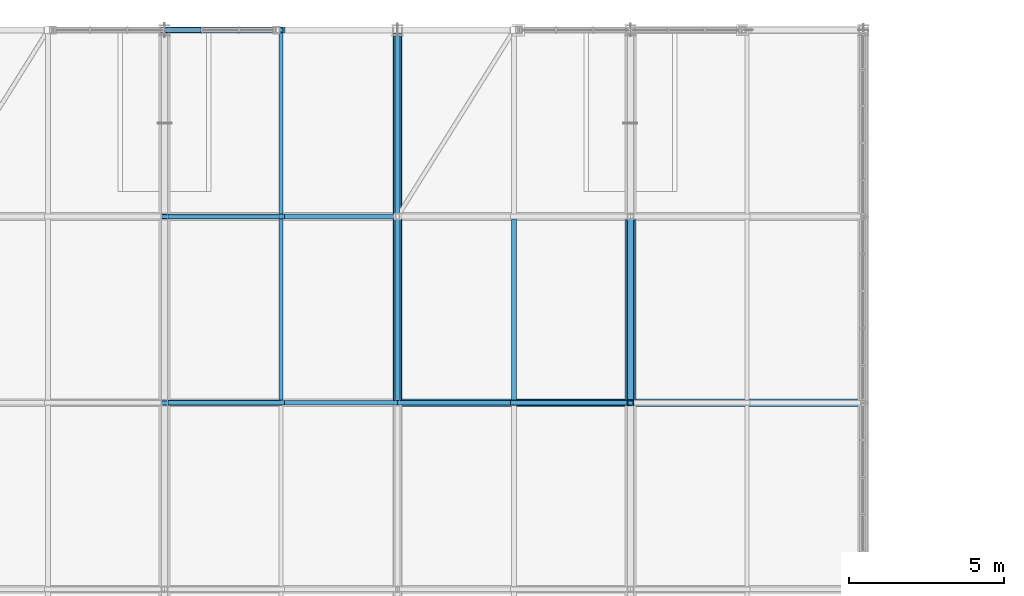
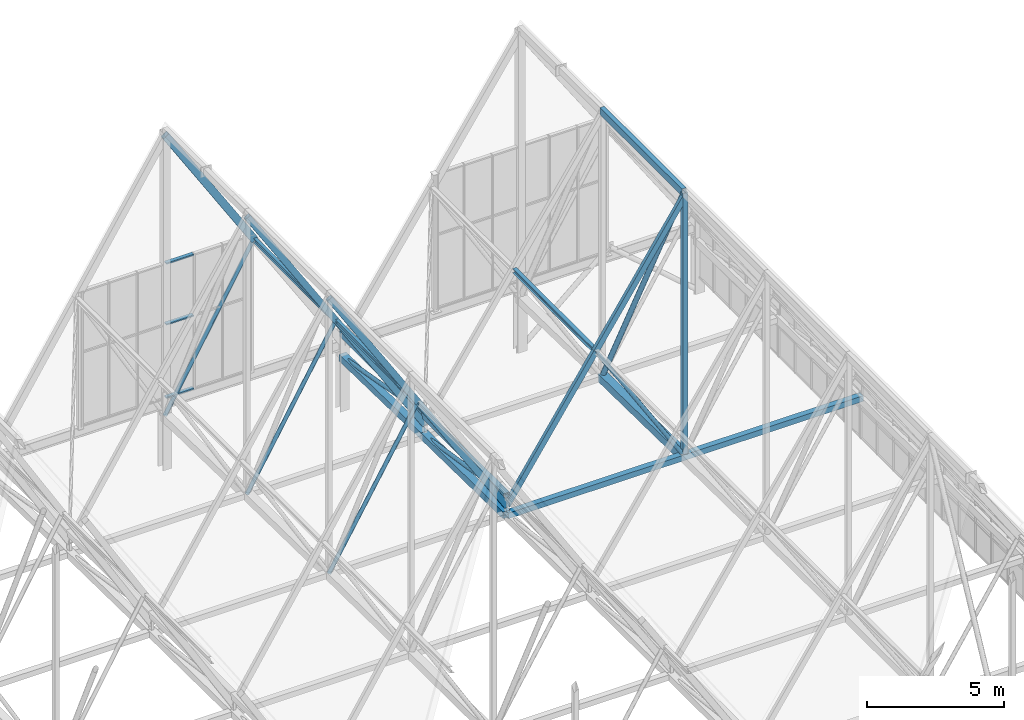
# One storey, part 235 of 324: 25 members, 3 beams, 1 element without a shape of its own.
"""IFC4 building model written with IfcOpenShell, lengths in metres."""

from ifc_helpers import new_model, si_unit, direction, frame, origin, origin_2d, place, context, subcontext, project, spatial, hollow_rectangle, hollow_circle, i_section, extrude, material, layer, layer_set, material_profile, profile_set, type_object, element, aggregate, save


model = new_model("IFC4")

# Units and contexts
model_context = context("Model", 3, precision=1e-05, world=origin(), true_north=direction((0.0, 1.0)))
body_context = subcontext(model_context, "Body", "Model", "MODEL_VIEW")
ifc_project = project(units=[si_unit("LENGTHUNIT", "METRE"), si_unit("AREAUNIT", "SQUARE_METRE"), si_unit("VOLUMEUNIT", "CUBIC_METRE"), si_unit("PLANEANGLEUNIT", "RADIAN"), si_unit("MASSUNIT", "GRAM", prefix="KILO")], contexts=[model_context])

# Site, building, storey
site_placement = place(None, origin())
site = spatial("IfcSite", under=ifc_project, at=site_placement, CompositionType="ELEMENT")
building_placement = place(site_placement, origin())
building = spatial("IfcBuilding", under=site, at=building_placement, Name="Solvenia Promenade Tram Depot", CompositionType="ELEMENT")
storey_placement = place(building_placement, frame((0.0, 0.0, 4.5)))
storey = spatial("IfcBuildingStorey", under=building, at=storey_placement, Name="L01", CompositionType="ELEMENT", Elevation=4.5)

# Member
ifc_material_1 = material(Name="Structural steel ASTM A500 Gr. C", Category="steel")
ifc_material_profile_1 = material_profile(ifc_material_1, hollow_circle(Radius=0.109619140625, WallThickness=0.008056640625, at=origin_2d()), Name="CHS219.1x8", Category="steel")
ifc_profile_set_1 = profile_set([ifc_material_profile_1], Name="Structural steel ASTM A500 Gr. C")
member_type_1 = type_object("IfcMemberType", Name="Brace-CHS219x8", PredefinedType="BRACE", material=ifc_profile_set_1)
member_1_placement = place(storey_placement, frame((142.5, 120.0, 2.446044921875), z_axis=(0.0, -0.450849563736, 0.892599950078), x_axis=(1.0, 0.0, 0.0)))
element("IfcMember", 1, at=member_1_placement, inside=storey, type_object=member_type_1, Name="Arched Truss T20 Web Diagonal S09", PredefinedType="BRACE", context=body_context, shape_type="SweptSolid", body=[
    extrude(hollow_circle(Radius=0.109619140625, WallThickness=0.008056640625, at=origin_2d()), origin(), (0.0, 0.0, 1.0), 13.30810546875),
])

# Curtain wall, members
ifc_material_2 = material(Name="Anodized aluminium AW-6063 T6", Category="aluminium")
ifc_layer = layer(ifc_material_2, 0.14990234375, Name="Anodized aluminium AW-6063 T6", Category="aluminium")
ifc_layer_set = layer_set([ifc_layer], Name="Anodized aluminium AW-6063 T6")
curtain_wall_type = type_object("IfcCurtainWallType", Name="CW-Gable-1200", PredefinedType="NOTDEFINED", material=ifc_layer_set)
curtain_wall_placement = place(storey_placement, origin())
curtain_wall = element("IfcCurtainWall", 2, at=curtain_wall_placement, inside=storey, type_object=curtain_wall_type, Name="North Zigzag Gable 09 Peak Glazing", PredefinedType="NOTDEFINED")
ifc_material_profile_2 = material_profile(ifc_material_2, hollow_rectangle(XDim=0.159912109375, YDim=0.05810546875, WallThickness=0.00390625, at=origin_2d()), Name="ALU-T3", Category="aluminium")
ifc_profile_set_2 = profile_set([ifc_material_profile_2], Name="Anodized aluminium AW-6063 T6")
member_type_2 = type_object("IfcMemberType", Name="CWT-Transom-3", PredefinedType="USERDEFINED", material=ifc_profile_set_2)
member_2_placement = place(storey_placement, frame((127.52392578125, 126.0, 3.12890625), z_axis=(1.0, 0.0, 0.0), x_axis=(0.0, 1.0, 0.0)))
member_2 = element("IfcMember", 3, at=member_2_placement, type_object=member_type_2, Name="CW-3 transom 4.1", ObjectType="TRANSOM", PredefinedType="USERDEFINED", context=body_context, shape_type="SweptSolid", body=[
    extrude(hollow_rectangle(XDim=0.159912109375, YDim=0.05810546875, WallThickness=0.00390625, at=origin_2d()), origin(), (0.0, 0.0, 1.0), 1.152099609375),
])
member_3_placement = place(storey_placement, frame((127.52392578125, 126.0, 6.39990234375), z_axis=(1.0, 0.0, 0.0), x_axis=(0.0, 1.0, 0.0)))
member_3 = element("IfcMember", 4, at=member_3_placement, type_object=member_type_2, Name="CW-3 transom 4.2", ObjectType="TRANSOM", PredefinedType="USERDEFINED", context=body_context, shape_type="SweptSolid", body=[
    extrude(hollow_rectangle(XDim=0.159912109375, YDim=0.05810546875, WallThickness=0.00390625, at=origin_2d()), origin(), (0.0, 0.0, 1.0), 1.152099609375),
])
member_4_placement = place(storey_placement, frame((127.52392578125, 126.0, 9.12109375), z_axis=(1.0, 0.0, 0.0), x_axis=(0.0, 1.0, 0.0)))
member_4 = element("IfcMember", 5, at=member_4_placement, type_object=member_type_2, Name="CW-3 transom 4.3", ObjectType="TRANSOM", PredefinedType="USERDEFINED", context=body_context, shape_type="SweptSolid", body=[
    extrude(hollow_rectangle(XDim=0.159912109375, YDim=0.05810546875, WallThickness=0.00390625, at=origin_2d()), origin(), (0.0, 0.0, 1.0), 1.152099609375),
])
aggregate(curtain_wall, [member_2, member_3, member_4])

# Members
ifc_material_profile_3 = material_profile(ifc_material_1, hollow_rectangle(XDim=0.14990234375, YDim=0.25, WallThickness=0.010009765625, at=origin_2d()), Name="HSS250x150x10", Category="steel")
ifc_profile_set_3 = profile_set([ifc_material_profile_3], Name="Structural steel ASTM A500 Gr. C")
member_type_3 = type_object("IfcMemberType", Name="Chord-HSS250x150x10", PredefinedType="CHORD", material=ifc_profile_set_3)
member_5_placement = place(storey_placement, frame((127.5, 114.0, 14.83251953125), z_axis=(0.533522444929, 0.0, -0.845785907164), x_axis=(0.0, 1.0, 0.0)))
element("IfcMember", 6, at=member_5_placement, inside=storey, type_object=member_type_3, Name="Zigzag Gable 09 East Upper Rafter", PredefinedType="CHORD", context=body_context, shape_type="SweptSolid", body=[
    extrude(hollow_rectangle(XDim=0.14990234375, YDim=0.25, WallThickness=0.010009765625, at=origin_2d()), origin(), (0.0, 0.0, 1.0), 7.02880859375),
])
member_6_placement = place(storey_placement, frame((131.25, 114.0, 8.8876953125), z_axis=(0.533506771487, 0.0, -0.845795793781), x_axis=(0.0, 1.0, 0.0)))
element("IfcMember", 7, at=member_6_placement, inside=storey, type_object=member_type_3, Name="Zigzag Gable 09 East Lower Rafter", PredefinedType="CHORD", context=body_context, shape_type="SweptSolid", body=[
    extrude(hollow_rectangle(XDim=0.14990234375, YDim=0.25, WallThickness=0.010009765625, at=origin_2d()), origin(), (0.0, 0.0, 1.0), 7.029052734375),
])
member_7_placement = place(storey_placement, frame((127.5, 120.0, 14.83251953125), z_axis=(0.533522444929, 0.0, -0.845785907164), x_axis=(0.0, 1.0, 0.0)))
element("IfcMember", 8, at=member_7_placement, inside=storey, type_object=member_type_3, Name="Zigzag Gable 09 East Upper Rafter", PredefinedType="CHORD", context=body_context, shape_type="SweptSolid", body=[
    extrude(hollow_rectangle(XDim=0.14990234375, YDim=0.25, WallThickness=0.010009765625, at=origin_2d()), origin(), (0.0, 0.0, 1.0), 7.02880859375),
])
member_8_placement = place(storey_placement, frame((131.25, 120.0, 8.8876953125), z_axis=(0.533506771487, 0.0, -0.845795793781), x_axis=(0.0, 1.0, 0.0)))
element("IfcMember", 9, at=member_8_placement, inside=storey, type_object=member_type_3, Name="Zigzag Gable 09 East Lower Rafter", PredefinedType="CHORD", context=body_context, shape_type="SweptSolid", body=[
    extrude(hollow_rectangle(XDim=0.14990234375, YDim=0.25, WallThickness=0.010009765625, at=origin_2d()), origin(), (0.0, 0.0, 1.0), 7.029052734375),
])
for number, where, z_axis, x_axis, name in (
    (10, (135.0, 114.0, 2.95703125), (0.557276274528, 0.0, 0.830327136644), (0.0, 1.0, 0.0), "Zigzag Gable 10 West Lower Rafter"),
    (11, (138.75, 114.0, 8.54443359375), (0.557259486914, 0.0, 0.83033840345), (0.0, 1.0, 0.0), "Zigzag Gable 10 West Upper Rafter"),
):
    element("IfcMember", number, at=place(storey_placement, frame(where, z_axis=z_axis, x_axis=x_axis)), inside=storey, type_object=member_type_3, Name=name, PredefinedType="CHORD", context=body_context, shape_type="SweptSolid", body=[
        extrude(hollow_rectangle(XDim=0.14990234375, YDim=0.25, WallThickness=0.010009765625, at=origin_2d()), origin(), (0.0, 0.0, 1.0), 6.729248046875),
    ])
ifc_material_profile_4 = material_profile(ifc_material_1, hollow_rectangle(XDim=0.25, YDim=0.25, WallThickness=0.010009765625, at=origin_2d()), Name="HSS250x250x10", Category="steel")
ifc_profile_set_4 = profile_set([ifc_material_profile_4], Name="Structural steel ASTM A500 Gr. C")
member_type_4 = type_object("IfcMemberType", Name="Chord-HSS250x250x10", PredefinedType="CHORD", material=ifc_profile_set_4)
for number, where, z_axis, x_axis, name in (
    (12, (135.0, 114.0, 3.3798828125), (0.0, 1.0, 0.0), (-1.0, 0.0, 0.0), "Arched Truss T19 Upper Chord S09"),
    (13, (135.0, 120.0, 3.3798828125), (0.0, 1.0, 0.0), (-1.0, 0.0, 0.0), "Arched Truss T19 Upper Chord S10"),
):
    element("IfcMember", number, at=place(storey_placement, frame(where, z_axis=z_axis, x_axis=x_axis)), inside=storey, type_object=member_type_4, Name=name, PredefinedType="CHORD", context=body_context, shape_type="SweptSolid", body=[
        extrude(hollow_rectangle(XDim=0.25, YDim=0.25, WallThickness=0.010009765625, at=origin_2d()), origin(), (0.0, 0.0, 1.0), 6.0),
    ])
member_9_placement = place(storey_placement, frame((135.0, 114.0, 2.5439453125), z_axis=(1.0, 0.0, 0.0), x_axis=(0.0, 1.0, 0.0)))
element("IfcMember", 14, at=member_9_placement, inside=storey, type_object=member_type_4, Name="Bottom-Chord Catenary Lateral Tie 089", PredefinedType="CHORD", context=body_context, shape_type="SweptSolid", body=[
    extrude(hollow_rectangle(XDim=0.25, YDim=0.25, WallThickness=0.010009765625, at=origin_2d()), origin(), (0.0, 0.0, 1.0), 15.0),
])
ifc_material_profile_5 = material_profile(ifc_material_1, hollow_rectangle(XDim=0.199951171875, YDim=0.300048828125, WallThickness=0.012451171875, at=origin_2d()), Name="HSS300x200x12.5", Category="steel")
ifc_profile_set_5 = profile_set([ifc_material_profile_5], Name="Structural steel ASTM A500 Gr. C")
member_type_5 = type_object("IfcMemberType", Name="Chord-HSS300x200x12", PredefinedType="CHORD", material=ifc_profile_set_5)
member_10_placement = place(storey_placement, frame((142.5, 114.0, 14.324951171875), z_axis=(0.0, 1.0, 0.0), x_axis=(-1.0, 0.0, 0.0)))
element("IfcMember", 15, at=member_10_placement, inside=storey, type_object=member_type_5, Name="Arched Truss T20 Upper Chord S09", PredefinedType="CHORD", context=body_context, shape_type="SweptSolid", body=[
    extrude(hollow_rectangle(XDim=0.199951171875, YDim=0.300048828125, WallThickness=0.012451171875, at=origin_2d()), origin(), (0.0, 0.0, 1.0), 6.0),
])
member_11_placement = place(storey_placement, frame((127.5, 126.0, 14.83251953125), z_axis=(0.533522444929, 0.0, -0.845785907164), x_axis=(0.0, 1.0, 0.0)))
element("IfcMember", 16, at=member_11_placement, inside=storey, type_object=member_type_5, Name="Zigzag Gable 09 East Upper Rafter", PredefinedType="CHORD", context=body_context, shape_type="SweptSolid", body=[
    extrude(hollow_rectangle(XDim=0.199951171875, YDim=0.300048828125, WallThickness=0.012451171875, at=origin_2d()), origin(), (0.0, 0.0, 1.0), 7.02880859375),
])
ifc_material_profile_6 = material_profile(ifc_material_1, hollow_rectangle(XDim=0.300048828125, YDim=0.300048828125, WallThickness=0.012451171875, at=origin_2d()), Name="HSS300x300x12.5", Category="steel")
ifc_profile_set_6 = profile_set([ifc_material_profile_6], Name="Structural steel ASTM A500 Gr. C")
member_type_6 = type_object("IfcMemberType", Name="Chord-HSS300x300x12", PredefinedType="CHORD", material=ifc_profile_set_6)
member_12_placement = place(storey_placement, frame((135.0, 114.0, 2.5439453125), z_axis=(0.0, 0.999866908707, -0.016314560156), x_axis=(-1.0, 0.0, 0.0)))
element("IfcMember", 17, at=member_12_placement, inside=storey, type_object=member_type_6, Name="Arched Truss T19 Bottom Chord S09", PredefinedType="CHORD", context=body_context, shape_type="SweptSolid", body=[
    extrude(hollow_rectangle(XDim=0.300048828125, YDim=0.300048828125, WallThickness=0.012451171875, at=origin_2d()), origin(), (0.0, 0.0, 1.0), 6.000732421875),
])
member_13_placement = place(storey_placement, frame((135.0, 120.0, 2.446044921875), z_axis=(0.0, 0.999779654873, -0.020991467363), x_axis=(-1.0, 0.0, 0.0)))
element("IfcMember", 18, at=member_13_placement, inside=storey, type_object=member_type_6, Name="Arched Truss T19 Bottom Chord S10", PredefinedType="CHORD", context=body_context, shape_type="SweptSolid", body=[
    extrude(hollow_rectangle(XDim=0.300048828125, YDim=0.300048828125, WallThickness=0.012451171875, at=origin_2d()), origin(), (0.0, 0.0, 1.0), 6.001220703125),
])
ifc_material_profile_7 = material_profile(ifc_material_1, hollow_rectangle(XDim=0.35009765625, YDim=0.35009765625, WallThickness=0.01611328125, at=origin_2d()), Name="HSS350x350x16", Category="steel")
ifc_profile_set_7 = profile_set([ifc_material_profile_7], Name="Structural steel ASTM A500 Gr. C")
member_type_7 = type_object("IfcMemberType", Name="Chord-HSS350x350x16", PredefinedType="CHORD", material=ifc_profile_set_7)
member_14_placement = place(storey_placement, frame((142.5, 114.0, 2.5439453125), z_axis=(0.0, 0.999866908707, -0.016314560156), x_axis=(-1.0, 0.0, 0.0)))
element("IfcMember", 19, at=member_14_placement, inside=storey, type_object=member_type_7, Name="Arched Truss T20 Bottom Chord S09", PredefinedType="CHORD", context=body_context, shape_type="SweptSolid", body=[
    extrude(hollow_rectangle(XDim=0.35009765625, YDim=0.35009765625, WallThickness=0.01611328125, at=origin_2d()), origin(), (0.0, 0.0, 1.0), 6.000732421875),
])
ifc_material_profile_8 = material_profile(ifc_material_1, hollow_rectangle(XDim=0.199951171875, YDim=0.199951171875, WallThickness=0.010009765625, at=origin_2d()), Name="HSS200x200x10", Category="steel")
ifc_profile_set_8 = profile_set([ifc_material_profile_8], Name="Structural steel ASTM A500 Gr. C")
member_type_8 = type_object("IfcMemberType", Name="Post-HSS200x200x10", PredefinedType="POST", material=ifc_profile_set_8)
member_15_placement = place(storey_placement, frame((142.5, 114.0, 2.5439453125), z_axis=(0.0, 0.0, 1.0), x_axis=(1.0, 0.0, 0.0)))
element("IfcMember", 20, at=member_15_placement, inside=storey, type_object=member_type_8, Name="Arched Truss T20 Web Post S08", PredefinedType="POST", context=body_context, shape_type="SweptSolid", body=[
    extrude(hollow_rectangle(XDim=0.199951171875, YDim=0.199951171875, WallThickness=0.010009765625, at=origin_2d()), origin(), (0.0, 0.0, 1.0), 11.781005859375),
])

# Beams
ifc_material_3 = material(Name="Structural steel ASTM A992 Gr. 50", Category="steel")
ifc_material_profile_9 = material_profile(ifc_material_3, i_section(OverallWidth=0.133056640625, OverallDepth=0.20703125, WebThickness=0.005859375, FlangeThickness=0.00830078125, FilletRadius=0.009033203125, at=origin_2d()), Name="W200x27", Category="steel")
ifc_profile_set_9 = profile_set([ifc_material_profile_9], Name="Structural steel ASTM A992 Gr. 50")
beam_type_1 = type_object("IfcBeamType", Name="Purlin-W200x27", PredefinedType="USERDEFINED", material=ifc_profile_set_9)
for number, where, z_axis, x_axis, name in (
    (21, (131.25, 114.0849609375, 8.8857421875), (0.0, 1.0, 0.0), (-1.0, 0.0, 0.0), "Gable Roof Purlin E-0178"),
    (22, (131.25, 120.0849609375, 8.8857421875), (0.0, 1.0, 0.0), (-1.0, 0.0, 0.0), "Gable Roof Purlin E-0180"),
):
    element("IfcBeam", number, at=place(storey_placement, frame(where, z_axis=z_axis, x_axis=x_axis)), inside=storey, type_object=beam_type_1, Name=name, ObjectType="PURLIN", PredefinedType="USERDEFINED", context=body_context, shape_type="SweptSolid", body=[
        extrude(i_section(OverallWidth=0.133056640625, OverallDepth=0.20703125, WebThickness=0.005859375, FlangeThickness=0.00830078125, FilletRadius=0.009033203125, at=origin_2d()), origin(), (0.0, 0.0, 1.0), 5.830078125),
    ])
ifc_material_profile_10 = material_profile(ifc_material_3, i_section(OverallWidth=0.1650390625, OverallDepth=0.200927734375, WebThickness=0.006103515625, FlangeThickness=0.01025390625, FilletRadius=0.010009765625, at=origin_2d()), Name="W200x36", Category="steel")
ifc_profile_set_10 = profile_set([ifc_material_profile_10], Name="Structural steel ASTM A992 Gr. 50")
beam_type_2 = type_object("IfcBeamType", Name="Purlin-W200x36", PredefinedType="USERDEFINED", material=ifc_profile_set_10)
beam_placement = place(storey_placement, frame((138.75, 114.0849609375, 8.551025390625), z_axis=(0.0, 1.0, 0.0), x_axis=(-1.0, 0.0, 0.0)))
element("IfcBeam", 23, at=beam_placement, inside=storey, type_object=beam_type_2, Name="Gable Roof Purlin W-0197", ObjectType="PURLIN", PredefinedType="USERDEFINED", context=body_context, shape_type="SweptSolid", body=[
    extrude(i_section(OverallWidth=0.1650390625, OverallDepth=0.200927734375, WebThickness=0.006103515625, FlangeThickness=0.01025390625, FilletRadius=0.010009765625, at=origin_2d()), origin(), (0.0, 0.0, 1.0), 5.830078125),
])

# Members
ifc_material_profile_11 = material_profile(ifc_material_1, hollow_circle(Radius=0.084228515625, WallThickness=0.008056640625, at=origin_2d()), Name="CHS168.3x8", Category="steel")
ifc_profile_set_11 = profile_set([ifc_material_profile_11], Name="Structural steel ASTM A500 Gr. C")
member_type_9 = type_object("IfcMemberType", Name="WebDiag-CHS168x8", PredefinedType="BRACE", material=ifc_profile_set_11)
member_16_placement = place(storey_placement, frame((135.0, 120.0, 2.446044921875), z_axis=(0.0, -0.9881038455, 0.153788135133), x_axis=(1.0, 0.0, 0.0)))
element("IfcMember", 24, at=member_16_placement, inside=storey, type_object=member_type_9, Name="Arched Truss T19 Web Diagonal S09", PredefinedType="BRACE", context=body_context, shape_type="SweptSolid", body=[
    extrude(hollow_circle(Radius=0.084228515625, WallThickness=0.008056640625, at=origin_2d()), origin(), (0.0, 0.0, 1.0), 6.072265625),
])
member_17_placement = place(storey_placement, frame((135.0, 126.0, 2.320068359375), z_axis=(0.0, -0.984755712458, 0.173943056143), x_axis=(1.0, 0.0, 0.0)))
element("IfcMember", 25, at=member_17_placement, inside=storey, type_object=member_type_9, Name="Arched Truss T19 Web Diagonal S10", PredefinedType="BRACE", context=body_context, shape_type="SweptSolid", body=[
    extrude(hollow_circle(Radius=0.084228515625, WallThickness=0.008056640625, at=origin_2d()), origin(), (0.0, 0.0, 1.0), 6.0927734375),
])
member_18_placement = place(storey_placement, frame((127.5, 114.0, 2.5439453125), z_axis=(0.508872173777, 0.0, 0.860842093973), x_axis=(0.0, 1.0, 0.0)))
element("IfcMember", 26, at=member_18_placement, inside=storey, type_object=member_type_9, Name="Zigzag Gable 09 East Knee Strut", PredefinedType="BRACE", context=body_context, shape_type="SweptSolid", body=[
    extrude(hollow_circle(Radius=0.084228515625, WallThickness=0.008056640625, at=origin_2d()), origin(), (0.0, 0.0, 1.0), 7.369140625),
])
member_19_placement = place(storey_placement, frame((127.5, 120.0, 2.446044921875), z_axis=(0.503107125653, 0.0, 0.864224056664), x_axis=(0.0, 1.0, 0.0)))
element("IfcMember", 27, at=member_19_placement, inside=storey, type_object=member_type_9, Name="Zigzag Gable 09 East Knee Strut", PredefinedType="BRACE", context=body_context, shape_type="SweptSolid", body=[
    extrude(hollow_circle(Radius=0.084228515625, WallThickness=0.008056640625, at=origin_2d()), origin(), (0.0, 0.0, 1.0), 7.45361328125),
])
member_20_placement = place(storey_placement, frame((127.5, 126.0, 2.320068359375), z_axis=(0.495846885085, 0.0, 0.868409964562), x_axis=(0.0, 1.0, 0.0)))
element("IfcMember", 28, at=member_20_placement, inside=storey, type_object=member_type_9, Name="Zigzag Gable 09 East Knee Strut", PredefinedType="BRACE", context=body_context, shape_type="SweptSolid", body=[
    extrude(hollow_circle(Radius=0.084228515625, WallThickness=0.008056640625, at=origin_2d()), origin(), (0.0, 0.0, 1.0), 7.562744140625),
])
member_21_placement = place(storey_placement, frame((142.5, 114.0, 2.5439453125), z_axis=(-0.529967925608, 0.0, 0.848017687213), x_axis=(0.0, -1.0, 0.0)))
element("IfcMember", 29, at=member_21_placement, inside=storey, type_object=member_type_9, Name="Zigzag Gable 10 West Knee Strut", PredefinedType="BRACE", context=body_context, shape_type="SweptSolid", body=[
    extrude(hollow_circle(Radius=0.084228515625, WallThickness=0.008056640625, at=origin_2d()), origin(), (0.0, 0.0, 1.0), 7.075927734375),
])

save(model, "model.ifc")
